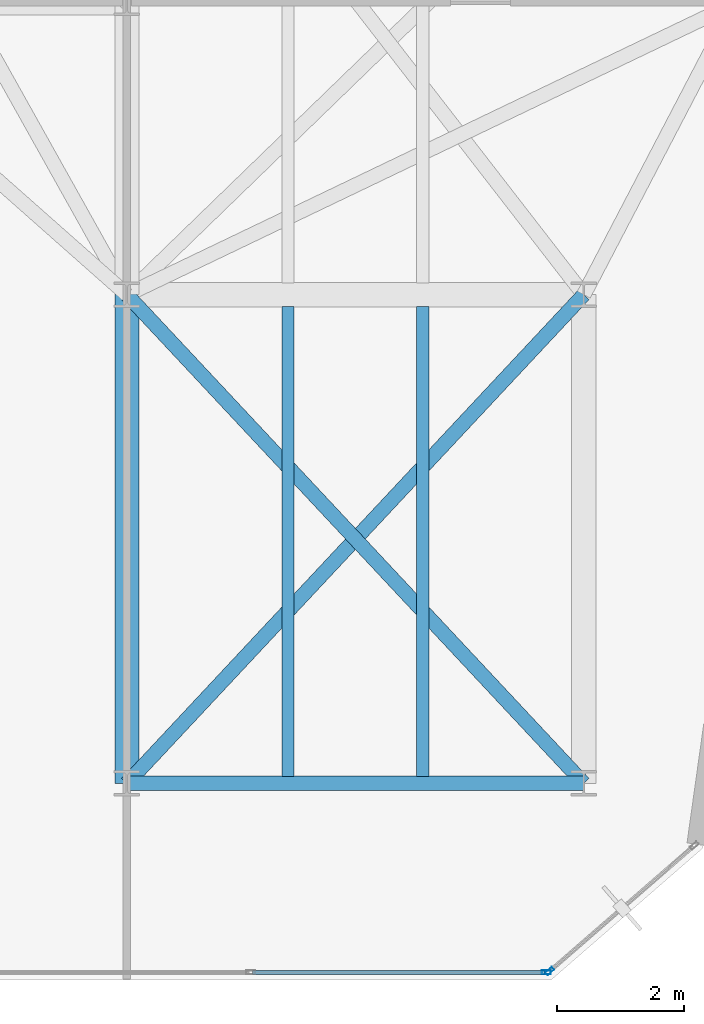
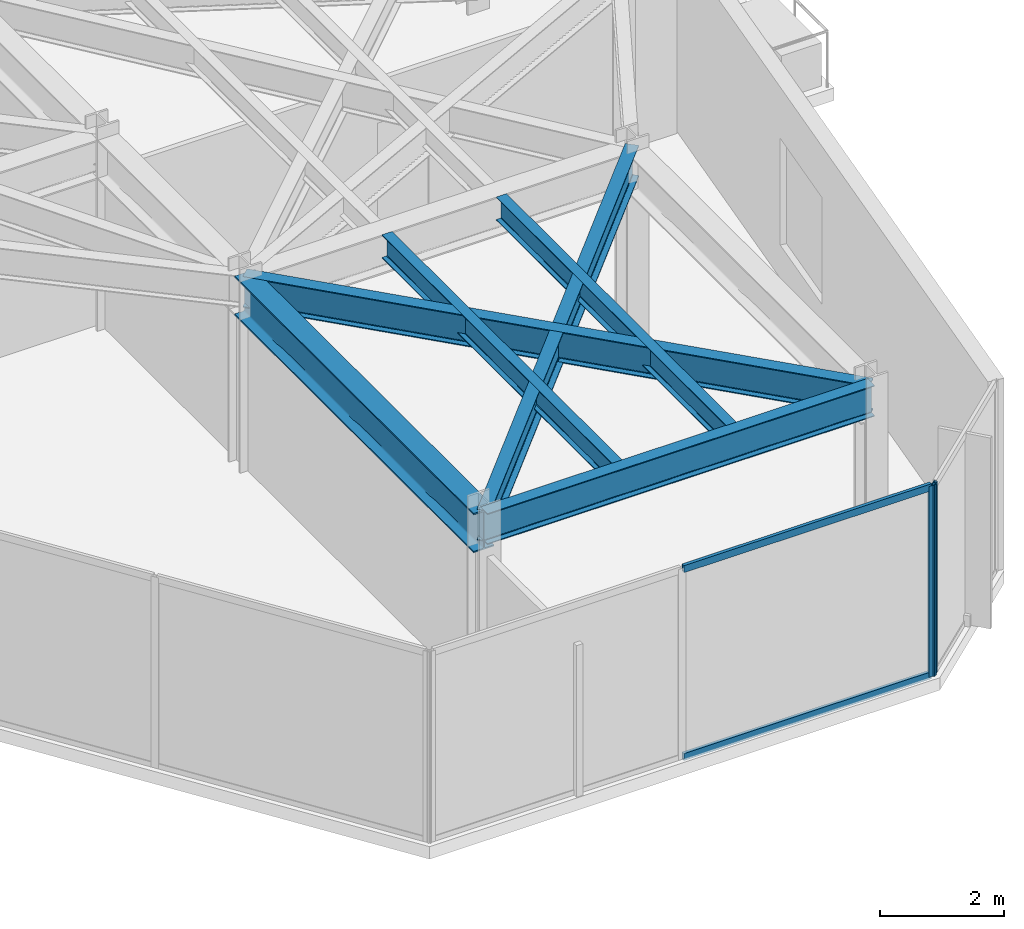
# One storey, part 17 of 26: 6 beams, 4 members, 2 elements without a shape of their own.
"""IFC4 building model written with IfcOpenShell, lengths in metres."""

from ifc_helpers import new_model, si_unit, direction, frame, origin, origin_2d, place, context, subcontext, project, spatial, hollow_rectangle, i_section, extrude, material, layer, layer_set, material_profile, profile_set, type_object, element, aggregate, save


model = new_model("IFC4")

# Units and contexts
model_context = context("Model", 3, precision=1e-05, world=origin(), true_north=direction((0.0, 1.0)))
body_context = subcontext(model_context, "Body", "Model", "MODEL_VIEW")
ifc_project = project(units=[si_unit("LENGTHUNIT", "METRE"), si_unit("AREAUNIT", "SQUARE_METRE"), si_unit("VOLUMEUNIT", "CUBIC_METRE"), si_unit("PLANEANGLEUNIT", "RADIAN"), si_unit("MASSUNIT", "GRAM", prefix="KILO")], contexts=[model_context])

# Site, building, storey
site_placement = place(None, origin())
site = spatial("IfcSite", under=ifc_project, at=site_placement, CompositionType="ELEMENT")
building_placement = place(site_placement, origin())
building = spatial("IfcBuilding", under=site, at=building_placement, Name="Kravanh Interchange Tower", CompositionType="ELEMENT")
storey_placement = place(building_placement, frame((0.0, 0.0, 204.5)))
storey = spatial("IfcBuildingStorey", under=building, at=storey_placement, Name="L49", CompositionType="ELEMENT", Elevation=204.5)

# Curtain wall, member
ifc_material_1 = material(Name="Anodised Bronze Aluminium", Category="aluminium")
ifc_layer = layer(ifc_material_1, 0.179931640625)
ifc_layer_set = layer_set([ifc_layer], Name="Unitised Curtain Wall System CW-Z3 Upper Office")
curtain_wall_type = type_object("IfcCurtainWallType", Name="Unitised Curtain Wall System CW-Z3 Upper Office", PredefinedType="NOTDEFINED", material=ifc_layer_set)
curtain_wall_1_placement = place(storey_placement, origin())
curtain_wall_1 = element("IfcCurtainWall", 1, at=curtain_wall_1_placement, inside=storey, type_object=curtain_wall_type, Name="L49 Unitised Curtain Wall CW-L49-02", PredefinedType="NOTDEFINED")
ifc_material_2 = material(Name="Anodised Bronze Aluminium", Category="aluminium")
ifc_material_profile_1 = material_profile(ifc_material_2, hollow_rectangle(XDim=0.06005859375, YDim=0.139892578125, WallThickness=0.00390625, at=origin_2d()), Name="ALU60X140X4")
ifc_profile_set_1 = profile_set([ifc_material_profile_1], Name="Anodised Bronze Aluminium")
member_type_1 = type_object("IfcMemberType", Name="Curtain Wall Mullion ALU60X140X4 Bronze", PredefinedType="MULLION", material=ifc_profile_set_1)
member_1_placement = place(storey_placement, frame((62.66357421875, 11.539794921875, 0.0), z_axis=(0.0, 0.0, 1.0), x_axis=(0.65605090137, -0.754716645379, 0.0)))
member_1 = element("IfcMember", 2, at=member_1_placement, type_object=member_type_1, Name="CW-Z3 mullion 2", PredefinedType="MULLION", context=body_context, shape_type="SweptSolid", body=[
    extrude(hollow_rectangle(XDim=0.06005859375, YDim=0.139892578125, WallThickness=0.00390625, at=origin_2d()), origin(), (0.0, 0.0, 1.0), 3.7548828125),
])
aggregate(curtain_wall_1, [member_1])

# Curtain wall, members
curtain_wall_2_placement = place(storey_placement, origin())
curtain_wall_2 = element("IfcCurtainWall", 3, at=curtain_wall_2_placement, inside=storey, type_object=curtain_wall_type, Name="L49 Unitised Curtain Wall CW-L49-03", PredefinedType="NOTDEFINED")
member_2_placement = place(storey_placement, frame((62.611083984375, 11.52001953125, 0.0), z_axis=(0.0, 0.0, 1.0), x_axis=(0.0, -1.0, 0.0)))
member_2 = element("IfcMember", 4, at=member_2_placement, type_object=member_type_1, Name="CW-Z3 mullion 1", PredefinedType="MULLION", context=body_context, shape_type="SweptSolid", body=[
    extrude(hollow_rectangle(XDim=0.06005859375, YDim=0.139892578125, WallThickness=0.00390625, at=origin_2d()), origin(), (0.0, 0.0, 1.0), 3.7548828125),
])
ifc_material_3 = material(Name="Anodised Bronze Aluminium", Category="aluminium")
ifc_material_profile_2 = material_profile(ifc_material_3, hollow_rectangle(XDim=0.06005859375, YDim=0.139892578125, WallThickness=0.00390625, at=origin_2d()), Name="ALU60X140X4")
ifc_profile_set_2 = profile_set([ifc_material_profile_2], Name="Anodised Bronze Aluminium")
member_type_2 = type_object("IfcMemberType", Name="Curtain Wall Transom ALU60X140X4 Bronze", PredefinedType="USERDEFINED", material=ifc_profile_set_2)
member_3_placement = place(storey_placement, frame((62.5810546875, 11.52001953125, 0.030029296875), z_axis=(-1.0, 0.0, 0.0), x_axis=(0.0, -1.0, 0.0)))
member_3 = element("IfcMember", 5, at=member_3_placement, type_object=member_type_2, Name="CW-Z3 transom 1.1", ObjectType="TRANSOM", PredefinedType="USERDEFINED", context=body_context, shape_type="SweptSolid", body=[
    extrude(hollow_rectangle(XDim=0.06005859375, YDim=0.139892578125, WallThickness=0.00390625, at=origin_2d()), origin(), (0.0, 0.0, 1.0), 4.59912109375),
])
member_4_placement = place(storey_placement, frame((62.5810546875, 11.52001953125, 3.72509765625), z_axis=(-1.0, 0.0, 0.0), x_axis=(0.0, -1.0, 0.0)))
member_4 = element("IfcMember", 6, at=member_4_placement, type_object=member_type_2, Name="CW-Z3 transom 1.2", ObjectType="TRANSOM", PredefinedType="USERDEFINED", context=body_context, shape_type="SweptSolid", body=[
    extrude(hollow_rectangle(XDim=0.06005859375, YDim=0.139892578125, WallThickness=0.00390625, at=origin_2d()), origin(), (0.0, 0.0, 1.0), 4.59912109375),
])
aggregate(curtain_wall_2, [member_2, member_3, member_4])

# Beams
ifc_material_4 = material(Name="Structural Steel S355", Category="steel")
ifc_material_profile_3 = material_profile(ifc_material_4, i_section(OverallWidth=0.381103515625, OverallDepth=0.77294921875, WebThickness=0.0166015625, FlangeThickness=0.027099609375, FilletRadius=0.02490234375, at=origin_2d()), Name="W30X173")
ifc_profile_set_3 = profile_set([ifc_material_profile_3], Name="Structural Steel S355")
beam_type_1 = type_object("IfcBeamType", Name="Floor Beam W30X173 Structural Steel S355", PredefinedType="BEAM", material=ifc_profile_set_3)
beam_1_placement = place(storey_placement, frame((56.0, 14.5, 3.368408203125), z_axis=(0.0, 1.0, 0.0), x_axis=(-1.0, 0.0, 0.0)))
element("IfcBeam", 7, at=beam_1_placement, inside=storey, type_object=beam_type_1, Name="L49 Primary Floor Girder 87", PredefinedType="BEAM", context=body_context, shape_type="SweptSolid", body=[
    extrude(i_section(OverallWidth=0.381103515625, OverallDepth=0.77294921875, WebThickness=0.0166015625, FlangeThickness=0.027099609375, FilletRadius=0.02490234375, at=origin_2d()), origin(), (0.0, 0.0, 1.0), 7.699951171875),
])
ifc_material_5 = material(Name="Structural Steel S355", Category="steel")
ifc_material_profile_4 = material_profile(ifc_material_5, i_section(OverallWidth=0.18994140625, OverallDepth=0.45703125, WebThickness=0.009033203125, FlangeThickness=0.014404296875, FilletRadius=0.01806640625, at=origin_2d()), Name="W18X50")
ifc_profile_set_4 = profile_set([ifc_material_profile_4], Name="Structural Steel S355")
beam_type_2 = type_object("IfcBeamType", Name="Floor Joist W18X50 Structural Steel S355", PredefinedType="JOIST", material=ifc_profile_set_4)
for number, where, z_axis, x_axis, name in (
    (8, (58.5380859375, 14.60888671875, 3.526611328125), (0.0, 1.0, 0.0), (-1.0, 0.0, 0.0), "L49 Secondary Floor Joist 3"),
    (9, (60.662109375, 14.60888671875, 3.526611328125), (0.0, 1.0, 0.0), (-1.0, 0.0, 0.0), "L49 Secondary Floor Joist 4"),
):
    element("IfcBeam", number, at=place(storey_placement, frame(where, z_axis=z_axis, x_axis=x_axis)), inside=storey, type_object=beam_type_2, Name=name, PredefinedType="JOIST", context=body_context, shape_type="SweptSolid", body=[
        extrude(i_section(OverallWidth=0.18994140625, OverallDepth=0.45703125, WebThickness=0.009033203125, FlangeThickness=0.014404296875, FilletRadius=0.01806640625, at=origin_2d()), origin(), (0.0, 0.0, 1.0), 7.405517578125),
    ])
ifc_material_6 = material(Name="Structural Steel S355", Category="steel")
ifc_material_profile_5 = material_profile(ifc_material_6, i_section(OverallWidth=0.22802734375, OverallDepth=0.60791015625, WebThickness=0.01123046875, FlangeThickness=0.017333984375, FilletRadius=0.02197265625, at=origin_2d()), Name="W24X76")
ifc_profile_set_5 = profile_set([ifc_material_profile_5], Name="Structural Steel S355")
beam_type_3 = type_object("IfcBeamType", Name="Floor Spandrel W24X76 Structural Steel S355", PredefinedType="SPANDREL", material=ifc_profile_set_5)
beam_2_placement = place(storey_placement, frame((56.0, 14.5, 3.450927734375), z_axis=(1.0, 0.0, 0.0), x_axis=(0.0, 1.0, 0.0)))
element("IfcBeam", 10, at=beam_2_placement, inside=storey, type_object=beam_type_3, Name="L49 Perimeter Spandrel 86", PredefinedType="SPANDREL", context=body_context, shape_type="SweptSolid", body=[
    extrude(i_section(OverallWidth=0.22802734375, OverallDepth=0.60791015625, WebThickness=0.01123046875, FlangeThickness=0.017333984375, FilletRadius=0.02197265625, at=origin_2d()), origin(), (0.0, 0.0, 1.0), 7.199951171875),
])
for number, where, z_axis, x_axis, name in (
    (11, (56.0, 14.5, 3.450927734375), (0.682993762113, 0.73042420614, 0.0), (-0.73042420614, 0.682993762113, 0.0), "L49 Perimeter Spandrel 88"),
    (12, (63.199951171875, 14.5, 3.450927734375), (-0.682993762113, 0.73042420614, 0.0), (-0.73042420614, -0.682993762113, 0.0), "L49 Perimeter Spandrel 90"),
):
    element("IfcBeam", number, at=place(storey_placement, frame(where, z_axis=z_axis, x_axis=x_axis)), inside=storey, type_object=beam_type_3, Name=name, PredefinedType="SPANDREL", context=body_context, shape_type="SweptSolid", body=[
        extrude(i_section(OverallWidth=0.22802734375, OverallDepth=0.60791015625, WebThickness=0.01123046875, FlangeThickness=0.017333984375, FilletRadius=0.02197265625, at=origin_2d()), origin(), (0.0, 0.0, 1.0), 10.541748046875),
    ])

save(model, "model.ifc")
